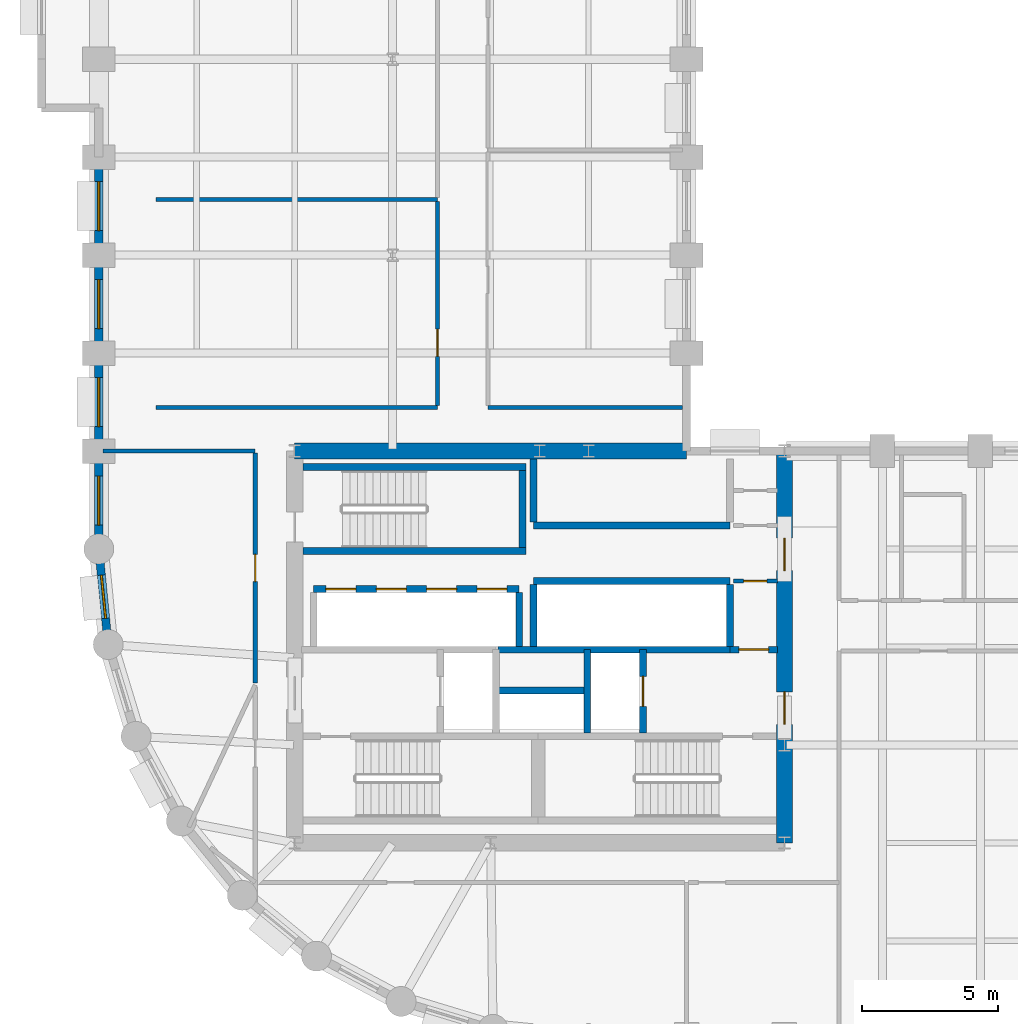
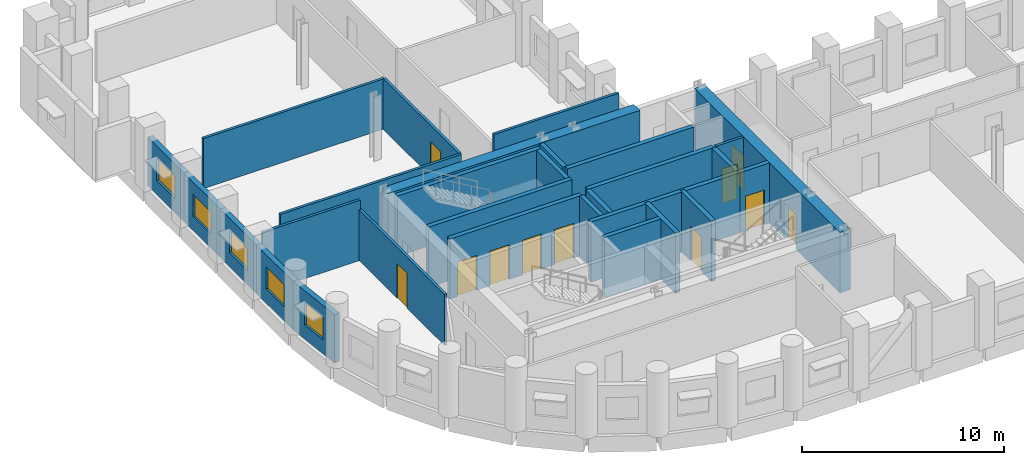
# One storey, part 6 of 11: 29 walls, 11 doors, 5 windows, 16 openings.
"""IFC4 building model written with IfcOpenShell, lengths in metres."""

from ifc_helpers import new_model, si_unit, direction, frame, frame_2d, origin, place, context, subcontext, project, spatial, rectangle, extrude, material, layer, layer_set, type_object, element, fill, save


model = new_model("IFC4")

# Units and contexts
model_context = context("Model", 3, precision=1e-05, world=origin(), true_north=direction((0.0, 1.0)))
body_context = subcontext(model_context, "Body", "Model", "MODEL_VIEW")
ifc_project = project(units=[si_unit("LENGTHUNIT", "METRE"), si_unit("AREAUNIT", "SQUARE_METRE"), si_unit("VOLUMEUNIT", "CUBIC_METRE"), si_unit("PLANEANGLEUNIT", "RADIAN"), si_unit("MASSUNIT", "GRAM", prefix="KILO")], contexts=[model_context])

# Site, building, storey
site_placement = place(None, origin())
site = spatial("IfcSite", under=ifc_project, at=site_placement, CompositionType="ELEMENT")
building_placement = place(site_placement, origin())
building = spatial("IfcBuilding", under=site, at=building_placement, Name="Solnavia Interchange Tower", CompositionType="ELEMENT")
storey_placement = place(building_placement, frame((0.0, 0.0, 55.199951171875)))
storey = spatial("IfcBuildingStorey", under=building, at=storey_placement, Name="L13", CompositionType="ELEMENT", Elevation=55.199951171875)

# Wall, opening, window
ifc_material_1 = material(Name="Concrete C40/50", Category="concrete")
ifc_layer_1 = layer(ifc_material_1, 0.300048828125)
ifc_layer_set_1 = layer_set([ifc_layer_1], Name="Concrete C40/50")
wall_type_1 = type_object("IfcWallType", Name="Wall-ExtSpandrel-300", PredefinedType="STANDARD", material=ifc_layer_set_1)
wall_1_placement = place(storey_placement, frame((7.199951171875, 32.39990234375, 0.0), z_axis=(0.0, 0.0, 1.0), x_axis=(0.0, 1.0, 0.0)))
wall_1 = element("IfcWall", 1, at=wall_1_placement, inside=storey, type_object=wall_type_1, Name="EXW-L13-55 Exterior precast spandrel wall", PredefinedType="STANDARD", context=body_context, shape_type="SweptSolid", body=[
    extrude(rectangle(XDim=3.60009765625, YDim=0.300048828125, at=frame_2d((1.800048828125, 0.0))), origin(), (0.0, 0.0, 1.0), 2.929931640625),
])
opening_1_placement = place(wall_1_placement, frame((0.89990234375, 0.0, 0.85009765625)))
opening_1 = element("IfcOpeningElement", 2, at=opening_1_placement, cuts=wall_1, Name="Opening WIN-02", PredefinedType="OPENING", context=body_context, shape_type="SweptSolid", body=[
    extrude(rectangle(XDim=1.800048828125, YDim=1.35009765625, at=frame_2d((0.89990234375, 0.675048828125))), frame((0.0, 0.16015625, 0.0), z_axis=(0.0, -1.0, 0.0), x_axis=(1.0, 0.0, 0.0)), (0.0, 0.0, 1.0), 0.320068359375),
])
ifc_material_2 = material(Name="Thermal-Break Aluminium & Low-E Glass", Category="aluminium")
window_type_1 = type_object("IfcWindowType", Name="Window-Ribbon-1800x1350", PartitioningType="SINGLE_PANEL", PredefinedType="WINDOW", material=ifc_material_2)
window_1_placement = place(opening_1_placement, origin())
window_1 = element("IfcWindow", 3, at=window_1_placement, inside=storey, type_object=window_type_1, Name="WIN-L13-55 Facade ribbon window", OverallHeight=1.35009765625, OverallWidth=1.800048828125, PartitioningType="SINGLE_PANEL", PredefinedType="WINDOW", context=body_context, shape_type="SweptSolid", body=[
    extrude(rectangle(XDim=1.800048828125, YDim=1.35009765625, at=frame_2d((0.89990234375, 0.675048828125))), frame((0.0, 0.030029296875, 0.0), z_axis=(0.0, -1.0, 0.0), x_axis=(1.0, 0.0, 0.0)), (0.0, 0.0, 1.0), 0.06005859375),
])
fill(opening_1, window_1)

wall_2_placement = place(storey_placement, frame((7.199951171875, 28.800048828125, 0.0), z_axis=(0.0, 0.0, 1.0), x_axis=(0.0, 1.0, 0.0)))
wall_2 = element("IfcWall", 4, at=wall_2_placement, inside=storey, type_object=wall_type_1, Name="EXW-L13-56 Exterior precast spandrel wall", PredefinedType="STANDARD", context=body_context, shape_type="SweptSolid", body=[
    extrude(rectangle(XDim=3.599853515625, YDim=0.300048828125, at=frame_2d((1.7998046875, 0.0))), origin(), (0.0, 0.0, 1.0), 2.929931640625),
])
opening_2_placement = place(wall_2_placement, frame((0.89990234375, 0.0, 0.85009765625)))
opening_2 = element("IfcOpeningElement", 5, at=opening_2_placement, cuts=wall_2, Name="Opening WIN-02", PredefinedType="OPENING", context=body_context, shape_type="SweptSolid", body=[
    extrude(rectangle(XDim=1.800048828125, YDim=1.35009765625, at=frame_2d((0.89990234375, 0.675048828125))), frame((0.0, 0.16015625, 0.0), z_axis=(0.0, -1.0, 0.0), x_axis=(1.0, 0.0, 0.0)), (0.0, 0.0, 1.0), 0.320068359375),
])
window_2_placement = place(opening_2_placement, origin())
window_2 = element("IfcWindow", 6, at=window_2_placement, inside=storey, type_object=window_type_1, Name="WIN-L13-56 Facade ribbon window", OverallHeight=1.35009765625, OverallWidth=1.800048828125, PartitioningType="SINGLE_PANEL", PredefinedType="WINDOW", context=body_context, shape_type="SweptSolid", body=[
    extrude(rectangle(XDim=1.800048828125, YDim=1.35009765625, at=frame_2d((0.89990234375, 0.675048828125))), frame((0.0, 0.030029296875, 0.0), z_axis=(0.0, -1.0, 0.0), x_axis=(1.0, 0.0, 0.0)), (0.0, 0.0, 1.0), 0.06005859375),
])
fill(opening_2, window_2)

wall_3_placement = place(storey_placement, frame((7.199951171875, 25.199951171875, 0.0), z_axis=(0.0, 0.0, 1.0), x_axis=(0.0, 1.0, 0.0)))
wall_3 = element("IfcWall", 7, at=wall_3_placement, inside=storey, type_object=wall_type_1, Name="EXW-L13-57 Exterior precast spandrel wall", PredefinedType="STANDARD", context=body_context, shape_type="SweptSolid", body=[
    extrude(rectangle(XDim=3.60009765625, YDim=0.300048828125, at=frame_2d((1.800048828125, 0.0))), origin(), (0.0, 0.0, 1.0), 2.929931640625),
])
opening_3_placement = place(wall_3_placement, frame((0.89990234375, 0.0, 0.85009765625)))
opening_3 = element("IfcOpeningElement", 8, at=opening_3_placement, cuts=wall_3, Name="Opening WIN-02", PredefinedType="OPENING", context=body_context, shape_type="SweptSolid", body=[
    extrude(rectangle(XDim=1.800048828125, YDim=1.35009765625, at=frame_2d((0.89990234375, 0.675048828125))), frame((0.0, 0.16015625, 0.0), z_axis=(0.0, -1.0, 0.0), x_axis=(1.0, 0.0, 0.0)), (0.0, 0.0, 1.0), 0.320068359375),
])
window_3_placement = place(opening_3_placement, origin())
window_3 = element("IfcWindow", 9, at=window_3_placement, inside=storey, type_object=window_type_1, Name="WIN-L13-57 Facade ribbon window", OverallHeight=1.35009765625, OverallWidth=1.800048828125, PartitioningType="SINGLE_PANEL", PredefinedType="WINDOW", context=body_context, shape_type="SweptSolid", body=[
    extrude(rectangle(XDim=1.800048828125, YDim=1.35009765625, at=frame_2d((0.89990234375, 0.675048828125))), frame((0.0, 0.030029296875, 0.0), z_axis=(0.0, -1.0, 0.0), x_axis=(1.0, 0.0, 0.0)), (0.0, 0.0, 1.0), 0.06005859375),
])
fill(opening_3, window_3)

wall_4_placement = place(storey_placement, frame((7.199951171875, 21.60009765625, 0.0), z_axis=(0.0, 0.0, 1.0), x_axis=(0.0, 1.0, 0.0)))
wall_4 = element("IfcWall", 10, at=wall_4_placement, inside=storey, type_object=wall_type_1, Name="EXW-L13-58 Exterior precast spandrel wall", PredefinedType="STANDARD", context=body_context, shape_type="SweptSolid", body=[
    extrude(rectangle(XDim=3.599853515625, YDim=0.300048828125, at=frame_2d((1.7998046875, 0.0))), origin(), (0.0, 0.0, 1.0), 2.929931640625),
])
opening_4_placement = place(wall_4_placement, frame((0.875, 0.0, 0.85009765625)))
opening_4 = element("IfcOpeningElement", 11, at=opening_4_placement, cuts=wall_4, Name="Opening WIN-02", PredefinedType="OPENING", context=body_context, shape_type="SweptSolid", body=[
    extrude(rectangle(XDim=1.800048828125, YDim=1.35009765625, at=frame_2d((0.89990234375, 0.675048828125))), frame((0.0, 0.16015625, 0.0), z_axis=(0.0, -1.0, 0.0), x_axis=(1.0, 0.0, 0.0)), (0.0, 0.0, 1.0), 0.320068359375),
])
window_4_placement = place(opening_4_placement, origin())
window_4 = element("IfcWindow", 12, at=window_4_placement, inside=storey, type_object=window_type_1, Name="WIN-L13-58 Facade ribbon window", OverallHeight=1.35009765625, OverallWidth=1.800048828125, PartitioningType="SINGLE_PANEL", PredefinedType="WINDOW", context=body_context, shape_type="SweptSolid", body=[
    extrude(rectangle(XDim=1.800048828125, YDim=1.35009765625, at=frame_2d((0.89990234375, 0.675048828125))), frame((0.0, 0.030029296875, 0.0), z_axis=(0.0, -1.0, 0.0), x_axis=(1.0, 0.0, 0.0)), (0.0, 0.0, 1.0), 0.06005859375),
])
fill(opening_4, window_4)

wall_5_placement = place(storey_placement, frame((7.5458984375, 18.087890625, 0.0), z_axis=(0.0, 0.0, 1.0), x_axis=(-0.09802417461, 0.995184033831, 0.0)))
wall_5 = element("IfcWall", 13, at=wall_5_placement, inside=storey, type_object=wall_type_1, Name="EXW-L13-59 Exterior precast spandrel wall", PredefinedType="STANDARD", context=body_context, shape_type="SweptSolid", body=[
    extrude(rectangle(XDim=3.529296875, YDim=0.300048828125, at=frame_2d((1.7646484375, 0.0))), origin(), (0.0, 0.0, 1.0), 2.929931640625),
])
opening_5_placement = place(wall_5_placement, frame((0.965087890625, 0.0, 0.85009765625)))
opening_5 = element("IfcOpeningElement", 14, at=opening_5_placement, cuts=wall_5, Name="Opening WIN-04", PredefinedType="OPENING", context=body_context, shape_type="SweptSolid", body=[
    extrude(rectangle(XDim=1.60009765625, YDim=1.35009765625, at=frame_2d((0.800048828125, 0.675048828125))), frame((0.0, 0.16015625, 0.0), z_axis=(0.0, -1.0, 0.0), x_axis=(1.0, 0.0, 0.0)), (0.0, 0.0, 1.0), 0.320068359375),
])
window_type_2 = type_object("IfcWindowType", Name="Window-Drum-1600x1350", PartitioningType="SINGLE_PANEL", PredefinedType="WINDOW", material=ifc_material_2)
window_5_placement = place(opening_5_placement, origin())
window_5 = element("IfcWindow", 15, at=window_5_placement, inside=storey, type_object=window_type_2, Name="WIN-L13-59 Facade ribbon window", OverallHeight=1.35009765625, OverallWidth=1.60009765625, PartitioningType="SINGLE_PANEL", PredefinedType="WINDOW", context=body_context, shape_type="SweptSolid", body=[
    extrude(rectangle(XDim=1.60009765625, YDim=1.35009765625, at=frame_2d((0.800048828125, 0.675048828125))), frame((0.0, 0.030029296875, 0.0), z_axis=(0.0, -1.0, 0.0), x_axis=(1.0, 0.0, 0.0)), (0.0, 0.0, 1.0), 0.06005859375),
])
fill(opening_5, window_5)

# Wall, opening, door
ifc_material_3 = material(Name="Gypsum Plasterboard & Steel Stud", Category="steel")
ifc_layer_2 = layer(ifc_material_3, 0.14990234375)
ifc_layer_set_2 = layer_set([ifc_layer_2], Name="Gypsum Plasterboard & Steel Stud")
wall_type_2 = type_object("IfcWallType", Name="Wall-Partition-150", PredefinedType="PARTITIONING", material=ifc_layer_set_2)
wall_6_placement = place(storey_placement, frame((30.52001953125, 20.419921875, 0.0), z_axis=(0.0, 0.0, 1.0), x_axis=(1.0, 0.0, 0.0)))
wall_6 = element("IfcWall", 16, at=wall_6_placement, inside=storey, type_object=wall_type_2, Name="CSW-L13-SE-N Core shaft wall", PredefinedType="PARTITIONING", context=body_context, shape_type="SweptSolid", body=[
    extrude(rectangle(XDim=1.6298828125, YDim=0.14990234375, at=frame_2d((0.81494140625, 0.0))), origin(), (0.0, 0.0, 1.0), 3.635009765625),
])
opening_6_placement = place(wall_6_placement, frame((0.3798828125, 0.0, 0.0)))
opening_6 = element("IfcOpeningElement", 17, at=opening_6_placement, cuts=wall_6, Name="Opening DR-10", PredefinedType="OPENING", context=body_context, shape_type="SweptSolid", body=[
    extrude(rectangle(XDim=0.85009765625, YDim=2.10009765625, at=frame_2d((0.425048828125, 1.050048828125))), frame((0.0, 0.0849609375, 0.0), z_axis=(0.0, -1.0, 0.0), x_axis=(1.0, 0.0, 0.0)), (0.0, 0.0, 1.0), 0.169921875),
])
ifc_material_4 = material(Name="Moisture-Resistant Timber Door", Category="wood")
door_type_1 = type_object("IfcDoorType", Name="Door-Bathroom-850x2100", OperationType="SINGLE_SWING_RIGHT", PredefinedType="DOOR", material=ifc_material_4)
door_1_placement = place(opening_6_placement, origin())
door_1 = element("IfcDoor", 18, at=door_1_placement, inside=storey, type_object=door_type_1, Name="DR-L13-CSE1 Core fire door", OperationType="SINGLE_SWING_LEFT", OverallHeight=2.10009765625, OverallWidth=0.85009765625, PredefinedType="DOOR", context=body_context, shape_type="SweptSolid", body=[
    extrude(rectangle(XDim=0.85009765625, YDim=2.10009765625, at=frame_2d((0.425048828125, 1.050048828125))), frame((0.0, 0.02490234375, 0.0), z_axis=(0.0, -1.0, 0.0), x_axis=(1.0, 0.0, 0.0)), (0.0, 0.0, 1.0), 0.050048828125),
])
fill(opening_6, door_1)

# Wall
wall_7_placement = place(storey_placement, frame((7.35400390625, 25.199951171875, 0.0), z_axis=(0.0, 0.0, 1.0), x_axis=(1.0, 0.0, 0.0)))
element("IfcWall", 19, at=wall_7_placement, inside=storey, type_object=wall_type_2, Name="PTW-L13-07 Interior partition wall", PredefinedType="PARTITIONING", context=body_context, shape_type="SweptSolid", body=[
    extrude(rectangle(XDim=5.595947265625, YDim=0.14990234375, at=frame_2d((2.7978515625, 0.0))), origin(), (0.0, 0.0, 1.0), 3.635009765625),
])

# Wall, opening, door
wall_8_placement = place(storey_placement, frame((12.949951171875, 16.678955078125, 0.0), z_axis=(0.0, 0.0, 1.0), x_axis=(0.0, 1.0, 0.0)))
wall_8 = element("IfcWall", 20, at=wall_8_placement, inside=storey, type_object=wall_type_2, Name="PTW-L13-11 Interior partition wall", PredefinedType="PARTITIONING", context=body_context, shape_type="SweptSolid", body=[
    extrude(rectangle(XDim=8.442138671875, YDim=0.14990234375, at=frame_2d((4.22119140625, 0.0))), origin(), (0.0, 0.0, 1.0), 3.080078125),
])
opening_7_placement = place(wall_8_placement, frame((3.720947265625, 0.0, 0.0)))
opening_7 = element("IfcOpeningElement", 21, at=opening_7_placement, cuts=wall_8, Name="Opening DR-07", PredefinedType="OPENING", context=body_context, shape_type="SweptSolid", body=[
    extrude(rectangle(XDim=1.0, YDim=2.10009765625, at=frame_2d((0.5, 1.050048828125))), frame((0.0, 0.0849609375, 0.0), z_axis=(0.0, -1.0, 0.0), x_axis=(1.0, 0.0, 0.0)), (0.0, 0.0, 1.0), 0.169921875),
])
ifc_material_5 = material(Name="Timber & Acoustic Glazed Office Door", Category="wood")
door_type_2 = type_object("IfcDoorType", Name="Door-Office-1000x2100", OperationType="SINGLE_SWING_RIGHT", PredefinedType="DOOR", material=ifc_material_5)
door_2_placement = place(opening_7_placement, origin())
door_2 = element("IfcDoor", 22, at=door_2_placement, inside=storey, type_object=door_type_2, Name="DR-L13-03 Interior room door", OperationType="SINGLE_SWING_LEFT", OverallHeight=2.10009765625, OverallWidth=1.0, PredefinedType="DOOR", context=body_context, shape_type="SweptSolid", body=[
    extrude(rectangle(XDim=1.0, YDim=2.10009765625, at=frame_2d((0.5, 1.050048828125))), frame((0.0, 0.02490234375, 0.0), z_axis=(0.0, -1.0, 0.0), x_axis=(1.0, 0.0, 0.0)), (0.0, 0.0, 1.0), 0.050048828125),
])
fill(opening_7, door_2)

# Walls
wall_9_placement = place(storey_placement, frame((9.300048828125, 26.800048828125, 0.0), z_axis=(0.0, 0.0, 1.0), x_axis=(1.0, 0.0, 0.0)))
element("IfcWall", 23, at=wall_9_placement, inside=storey, type_object=wall_type_2, Name="PTW-L13-27 Interior partition wall", PredefinedType="PARTITIONING", context=body_context, shape_type="SweptSolid", body=[
    extrude(rectangle(XDim=10.349853515625, YDim=0.14990234375, at=frame_2d((5.1748046875, 0.0))), origin(), (0.0, 0.0, 1.0), 3.080078125),
])
wall_10_placement = place(storey_placement, frame((9.300048828125, 34.43994140625, 0.0), z_axis=(0.0, 0.0, 1.0), x_axis=(1.0, 0.0, 0.0)))
element("IfcWall", 24, at=wall_10_placement, inside=storey, type_object=wall_type_2, Name="PTW-L13-28 Interior partition wall", PredefinedType="PARTITIONING", context=body_context, shape_type="SweptSolid", body=[
    extrude(rectangle(XDim=10.349853515625, YDim=0.14990234375, at=frame_2d((5.1748046875, 0.0))), origin(), (0.0, 0.0, 1.0), 3.030029296875),
])

# Wall, opening, door
wall_11_placement = place(storey_placement, frame((19.64990234375, 26.87890625, 0.0), z_axis=(0.0, 0.0, 1.0), x_axis=(0.0, 1.0, 0.0)))
wall_11 = element("IfcWall", 25, at=wall_11_placement, inside=storey, type_object=wall_type_2, Name="PTW-L13-29 Interior partition wall", PredefinedType="PARTITIONING", context=body_context, shape_type="SweptSolid", body=[
    extrude(rectangle(XDim=7.482177734375, YDim=0.14990234375, at=frame_2d((3.7412109375, 0.0))), origin(), (0.0, 0.0, 1.0), 3.080078125),
])
opening_8_placement = place(wall_11_placement, frame((1.801025390625, 0.0, 0.0)))
opening_8 = element("IfcOpeningElement", 26, at=opening_8_placement, cuts=wall_11, Name="Opening DR-07", PredefinedType="OPENING", context=body_context, shape_type="SweptSolid", body=[
    extrude(rectangle(XDim=1.0, YDim=2.10009765625, at=frame_2d((0.5, 1.050048828125))), frame((0.0, 0.0849609375, 0.0), z_axis=(0.0, -1.0, 0.0), x_axis=(1.0, 0.0, 0.0)), (0.0, 0.0, 1.0), 0.169921875),
])
door_3_placement = place(opening_8_placement, origin())
door_3 = element("IfcDoor", 27, at=door_3_placement, inside=storey, type_object=door_type_2, Name="DR-L13-13 Interior room door", OperationType="SINGLE_SWING_RIGHT", OverallHeight=2.10009765625, OverallWidth=1.0, PredefinedType="DOOR", context=body_context, shape_type="SweptSolid", body=[
    extrude(rectangle(XDim=1.0, YDim=2.10009765625, at=frame_2d((0.5, 1.050048828125))), frame((0.0, 0.02490234375, 0.0), z_axis=(0.0, -1.0, 0.0), x_axis=(1.0, 0.0, 0.0)), (0.0, 0.0, 1.0), 0.050048828125),
])
fill(opening_8, door_3)

# Walls
wall_12_placement = place(storey_placement, frame((21.5, 26.800048828125, 0.0), z_axis=(0.0, 0.0, 1.0), x_axis=(1.0, 0.0, 0.0)))
element("IfcWall", 28, at=wall_12_placement, inside=storey, type_object=wall_type_2, Name="PTW-L13-31 Interior partition wall", PredefinedType="PARTITIONING", context=body_context, shape_type="SweptSolid", body=[
    extrude(rectangle(XDim=7.14599609375, YDim=0.14990234375, at=frame_2d((3.572998046875, 0.0))), origin(), (0.0, 0.0, 1.0), 3.635009765625),
])
ifc_layer_3 = layer(ifc_material_1, 0.25)
ifc_layer_set_3 = layer_set([ifc_layer_3], Name="Concrete C40/50")
wall_type_3 = type_object("IfcWallType", Name="Wall-ShaftCore-250", PredefinedType="SHEAR", material=ifc_layer_set_3)
for number, where, z_axis, x_axis, name in (
    (29, (14.699951171875, 21.52490234375, 0.0), (0.0, 0.0, 1.0), (1.0, 0.0, 0.0), "SHW-L13-ST3S Core shear wall"),
    (30, (14.699951171875, 24.614990234375, 0.0), (0.0, 0.0, 1.0), (1.0, 0.0, 0.0), "SHW-L13-ST3N Core shear wall"),
):
    element("IfcWall", number, at=place(storey_placement, frame(where, z_axis=z_axis, x_axis=x_axis)), inside=storey, type_object=wall_type_3, Name=name, PredefinedType="SHEAR", context=body_context, shape_type="SweptSolid", body=[
        extrude(rectangle(XDim=8.199951171875, YDim=0.25, at=frame_2d((4.10009765625, 0.0))), origin(), (0.0, 0.0, 1.0), 3.650146484375),
    ])
wall_13_placement = place(storey_placement, frame((22.77490234375, 21.64990234375, 0.0), z_axis=(0.0, 0.0, 1.0), x_axis=(0.0, 1.0, 0.0)))
element("IfcWall", 31, at=wall_13_placement, inside=storey, type_object=wall_type_3, Name="SHW-L13-ST3E Core shear wall", PredefinedType="SHEAR", context=body_context, shape_type="SweptSolid", body=[
    extrude(rectangle(XDim=2.840087890625, YDim=0.25, at=frame_2d((1.419921875, 0.0))), origin(), (0.0, 0.0, 1.0), 3.650146484375),
])
ifc_layer_4 = layer(ifc_material_1, 0.25)
ifc_layer_set_4 = layer_set([ifc_layer_4], Name="Concrete C40/50")
wall_type_4 = type_object("IfcWallType", Name="Wall-ShaftPart-250", PredefinedType="PARTITIONING", material=ifc_layer_set_4)
wall_14_placement = place(storey_placement, frame((21.8798828125, 17.89990234375, 0.0), z_axis=(0.0, 0.0, 1.0), x_axis=(1.0, 0.0, 0.0)))
element("IfcWall", 32, at=wall_14_placement, inside=storey, type_object=wall_type_4, Name="SHW-L13-FFLE-N1 Core shaft wall", PredefinedType="PARTITIONING", context=body_context, shape_type="SweptSolid", body=[
    extrude(rectangle(XDim=8.52001953125, YDim=0.25, at=frame_2d((4.260009765625, 0.0))), origin(), (0.0, 0.0, 1.0), 3.635009765625),
])

# Wall, opening, door
wall_15_placement = place(storey_placement, frame((30.39990234375, 17.89990234375, 0.0), z_axis=(0.0, 0.0, 1.0), x_axis=(1.0, 0.0, 0.0)))
wall_15 = element("IfcWall", 33, at=wall_15_placement, inside=storey, type_object=wall_type_4, Name="SHW-L13-FFLE-N2 Core shaft wall", PredefinedType="PARTITIONING", context=body_context, shape_type="SweptSolid", body=[
    extrude(rectangle(XDim=1.75, YDim=0.25, at=frame_2d((0.875, 0.0))), origin(), (0.0, 0.0, 1.0), 3.635009765625),
])
opening_9_placement = place(wall_15_placement, frame((0.320068359375, 0.0, 0.0)))
opening_9 = element("IfcOpeningElement", 34, at=opening_9_placement, cuts=wall_15, Name="Opening DR-01", PredefinedType="OPENING", context=body_context, shape_type="SweptSolid", body=[
    extrude(rectangle(XDim=1.10009765625, YDim=2.10009765625, at=frame_2d((0.550048828125, 1.050048828125))), frame((0.0, 0.135009765625, 0.0), z_axis=(0.0, -1.0, 0.0), x_axis=(1.0, 0.0, 0.0)), (0.0, 0.0, 1.0), 0.27001953125),
])
ifc_material_6 = material(Name="Steel Fire-Rated Leaf & Frame", Category="steel")
door_type_3 = type_object("IfcDoorType", Name="Door-StairFire-1100x2100", OperationType="SINGLE_SWING_LEFT", PredefinedType="DOOR", material=ifc_material_6)
door_4_placement = place(opening_9_placement, origin())
door_4 = element("IfcDoor", 35, at=door_4_placement, inside=storey, type_object=door_type_3, Name="DR-L13-LLC Core fire door", OperationType="SINGLE_SWING_LEFT", OverallHeight=2.10009765625, OverallWidth=1.10009765625, PredefinedType="DOOR", context=body_context, shape_type="SweptSolid", body=[
    extrude(rectangle(XDim=1.10009765625, YDim=2.10009765625, at=frame_2d((0.550048828125, 1.050048828125))), frame((0.0, 0.02490234375, 0.0), z_axis=(0.0, -1.0, 0.0), x_axis=(1.0, 0.0, 0.0)), (0.0, 0.0, 1.0), 0.050048828125),
])
fill(opening_9, door_4)

# Wall
wall_16_placement = place(storey_placement, frame((25.14990234375, 14.840087890625, 0.0), z_axis=(0.0, 0.0, 1.0), x_axis=(0.0, 1.0, 0.0)))
element("IfcWall", 36, at=wall_16_placement, inside=storey, type_object=wall_type_4, Name="SHW-L13-FFL2-W Core shaft wall", PredefinedType="PARTITIONING", context=body_context, shape_type="SweptSolid", body=[
    extrude(rectangle(XDim=3.059814453125, YDim=0.25, at=frame_2d((1.52978515625, 0.0))), origin(), (0.0, 0.0, 1.0), 3.635009765625),
])

# Wall, opening, door
wall_17_placement = place(storey_placement, frame((27.199951171875, 14.840087890625, 0.0), z_axis=(0.0, 0.0, 1.0), x_axis=(0.0, 1.0, 0.0)))
wall_17 = element("IfcWall", 37, at=wall_17_placement, inside=storey, type_object=wall_type_4, Name="SHW-L13-FFL2-E Core shaft wall", PredefinedType="PARTITIONING", context=body_context, shape_type="SweptSolid", body=[
    extrude(rectangle(XDim=3.059814453125, YDim=0.25, at=frame_2d((1.52978515625, 0.0))), origin(), (0.0, 0.0, 1.0), 3.635009765625),
])
opening_10_placement = place(wall_17_placement, frame((0.97998046875, 0.0, 0.0)))
opening_10 = element("IfcOpeningElement", 38, at=opening_10_placement, cuts=wall_17, Name="Opening LD-01", PredefinedType="OPENING", context=body_context, shape_type="SweptSolid", body=[
    extrude(rectangle(XDim=1.10009765625, YDim=2.10009765625, at=frame_2d((0.550048828125, 1.050048828125))), frame((0.0, 0.135009765625, 0.0), z_axis=(0.0, -1.0, 0.0), x_axis=(1.0, 0.0, 0.0)), (0.0, 0.0, 1.0), 0.27001953125),
])
ifc_material_7 = material(Name="Brushed Stainless Steel Sliding Door", Category="steel")
door_type_4 = type_object("IfcDoorType", Name="Door-LiftLanding-1100x2100", OperationType="SLIDING_TO_LEFT", PredefinedType="DOOR", material=ifc_material_7)
door_5_placement = place(opening_10_placement, origin())
door_5 = element("IfcDoor", 39, at=door_5_placement, inside=storey, type_object=door_type_4, Name="LD-L13-FFL2 Lift landing sliding door", OperationType="SLIDING_TO_LEFT", OverallHeight=2.10009765625, OverallWidth=1.10009765625, PredefinedType="DOOR", context=body_context, shape_type="SweptSolid", body=[
    extrude(rectangle(XDim=1.10009765625, YDim=2.10009765625, at=frame_2d((0.550048828125, 1.050048828125))), frame((0.0, 0.02490234375, 0.0), z_axis=(0.0, -1.0, 0.0), x_axis=(1.0, 0.0, 0.0)), (0.0, 0.0, 1.0), 0.050048828125),
])
fill(opening_10, door_5)

# Wall
wall_18_placement = place(storey_placement, frame((21.800048828125, 16.39990234375, 0.0), z_axis=(0.0, 0.0, 1.0), x_axis=(1.0, 0.0, 0.0)))
element("IfcWall", 40, at=wall_18_placement, inside=storey, type_object=wall_type_4, Name="SHW-L13-MEP-N Core shaft wall", PredefinedType="PARTITIONING", context=body_context, shape_type="SweptSolid", body=[
    extrude(rectangle(XDim=3.349853515625, YDim=0.25, at=frame_2d((1.6748046875, 0.0))), origin(), (0.0, 0.0, 1.0), 3.635009765625),
])

# Wall, openings, doors
wall_19_placement = place(storey_placement, frame((15.10009765625, 20.125, 0.0), z_axis=(0.0, 0.0, 1.0), x_axis=(1.0, 0.0, 0.0)))
wall_19 = element("IfcWall", 41, at=wall_19_placement, inside=storey, type_object=wall_type_4, Name="SHW-L13-B1N Core shaft wall", PredefinedType="PARTITIONING", context=body_context, shape_type="SweptSolid", body=[
    extrude(rectangle(XDim=7.5498046875, YDim=0.25, at=frame_2d((3.77490234375, 0.0))), origin(), (0.0, 0.0, 1.0), 3.635009765625),
])
opening_11_placement = place(wall_19_placement, frame((0.449951171875, 0.0, 0.0)))
opening_11 = element("IfcOpeningElement", 42, at=opening_11_placement, cuts=wall_19, Name="Opening LD-01", PredefinedType="OPENING", context=body_context, shape_type="SweptSolid", body=[
    extrude(rectangle(XDim=1.10009765625, YDim=2.10009765625, at=frame_2d((0.550048828125, 1.050048828125))), frame((0.0, 0.135009765625, 0.0), z_axis=(0.0, -1.0, 0.0), x_axis=(1.0, 0.0, 0.0)), (0.0, 0.0, 1.0), 0.27001953125),
])
opening_12_placement = place(wall_19_placement, frame((2.300048828125, 0.0, 0.0)))
opening_12 = element("IfcOpeningElement", 43, at=opening_12_placement, cuts=wall_19, Name="Opening LD-01", PredefinedType="OPENING", context=body_context, shape_type="SweptSolid", body=[
    extrude(rectangle(XDim=1.10009765625, YDim=2.10009765625, at=frame_2d((0.550048828125, 1.050048828125))), frame((0.0, 0.135009765625, 0.0), z_axis=(0.0, -1.0, 0.0), x_axis=(1.0, 0.0, 0.0)), (0.0, 0.0, 1.0), 0.27001953125),
])
opening_13_placement = place(wall_19_placement, frame((4.14990234375, 0.0, 0.0)))
opening_13 = element("IfcOpeningElement", 44, at=opening_13_placement, cuts=wall_19, Name="Opening LD-01", PredefinedType="OPENING", context=body_context, shape_type="SweptSolid", body=[
    extrude(rectangle(XDim=1.10009765625, YDim=2.10009765625, at=frame_2d((0.550048828125, 1.050048828125))), frame((0.0, 0.135009765625, 0.0), z_axis=(0.0, -1.0, 0.0), x_axis=(1.0, 0.0, 0.0)), (0.0, 0.0, 1.0), 0.27001953125),
])
opening_14_placement = place(wall_19_placement, frame((6.0, 0.0, 0.0)))
opening_14 = element("IfcOpeningElement", 45, at=opening_14_placement, cuts=wall_19, Name="Opening LD-01", PredefinedType="OPENING", context=body_context, shape_type="SweptSolid", body=[
    extrude(rectangle(XDim=1.10009765625, YDim=2.10009765625, at=frame_2d((0.550048828125, 1.050048828125))), frame((0.0, 0.135009765625, 0.0), z_axis=(0.0, -1.0, 0.0), x_axis=(1.0, 0.0, 0.0)), (0.0, 0.0, 1.0), 0.27001953125),
])
door_6_placement = place(opening_11_placement, origin())
door_6 = element("IfcDoor", 46, at=door_6_placement, inside=storey, type_object=door_type_4, Name="LD-L13-B1-1 Lift landing sliding door", OperationType="SLIDING_TO_LEFT", OverallHeight=2.10009765625, OverallWidth=1.10009765625, PredefinedType="DOOR", context=body_context, shape_type="SweptSolid", body=[
    extrude(rectangle(XDim=1.10009765625, YDim=2.10009765625, at=frame_2d((0.550048828125, 1.050048828125))), frame((0.0, 0.02490234375, 0.0), z_axis=(0.0, -1.0, 0.0), x_axis=(1.0, 0.0, 0.0)), (0.0, 0.0, 1.0), 0.050048828125),
])
fill(opening_11, door_6)
door_7_placement = place(opening_12_placement, origin())
door_7 = element("IfcDoor", 47, at=door_7_placement, inside=storey, type_object=door_type_4, Name="LD-L13-B1-2 Lift landing sliding door", OperationType="SLIDING_TO_LEFT", OverallHeight=2.10009765625, OverallWidth=1.10009765625, PredefinedType="DOOR", context=body_context, shape_type="SweptSolid", body=[
    extrude(rectangle(XDim=1.10009765625, YDim=2.10009765625, at=frame_2d((0.550048828125, 1.050048828125))), frame((0.0, 0.02490234375, 0.0), z_axis=(0.0, -1.0, 0.0), x_axis=(1.0, 0.0, 0.0)), (0.0, 0.0, 1.0), 0.050048828125),
])
fill(opening_12, door_7)
door_8_placement = place(opening_13_placement, origin())
door_8 = element("IfcDoor", 48, at=door_8_placement, inside=storey, type_object=door_type_4, Name="LD-L13-B1-3 Lift landing sliding door", OperationType="SLIDING_TO_LEFT", OverallHeight=2.10009765625, OverallWidth=1.10009765625, PredefinedType="DOOR", context=body_context, shape_type="SweptSolid", body=[
    extrude(rectangle(XDim=1.10009765625, YDim=2.10009765625, at=frame_2d((0.550048828125, 1.050048828125))), frame((0.0, 0.02490234375, 0.0), z_axis=(0.0, -1.0, 0.0), x_axis=(1.0, 0.0, 0.0)), (0.0, 0.0, 1.0), 0.050048828125),
])
fill(opening_13, door_8)
door_9_placement = place(opening_14_placement, origin())
door_9 = element("IfcDoor", 49, at=door_9_placement, inside=storey, type_object=door_type_4, Name="LD-L13-B1-4 Lift landing sliding door", OperationType="SLIDING_TO_LEFT", OverallHeight=2.10009765625, OverallWidth=1.10009765625, PredefinedType="DOOR", context=body_context, shape_type="SweptSolid", body=[
    extrude(rectangle(XDim=1.10009765625, YDim=2.10009765625, at=frame_2d((0.550048828125, 1.050048828125))), frame((0.0, 0.02490234375, 0.0), z_axis=(0.0, -1.0, 0.0), x_axis=(1.0, 0.0, 0.0)), (0.0, 0.0, 1.0), 0.050048828125),
])
fill(opening_14, door_9)

# Walls
wall_20_placement = place(storey_placement, frame((22.64990234375, 18.02490234375, 0.0), z_axis=(0.0, 0.0, 1.0), x_axis=(0.0, 1.0, 0.0)))
element("IfcWall", 50, at=wall_20_placement, inside=storey, type_object=wall_type_4, Name="SHW-L13-B1E Core shaft wall", PredefinedType="PARTITIONING", context=body_context, shape_type="SweptSolid", body=[
    extrude(rectangle(XDim=1.97509765625, YDim=0.25, at=frame_2d((0.987548828125, 0.0))), origin(), (0.0, 0.0, 1.0), 3.635009765625),
])
wall_21_placement = place(storey_placement, frame((23.179931640625, 20.419921875, 0.0), z_axis=(0.0, 0.0, 1.0), x_axis=(1.0, 0.0, 0.0)))
element("IfcWall", 51, at=wall_21_placement, inside=storey, type_object=wall_type_4, Name="SHW-L13-B2N Core shaft wall", PredefinedType="PARTITIONING", context=body_context, shape_type="SweptSolid", body=[
    extrude(rectangle(XDim=7.219970703125, YDim=0.25, at=frame_2d((3.60986328125, 0.0))), origin(), (0.0, 0.0, 1.0), 3.635009765625),
])
for number, where, z_axis, x_axis, name in (
    (52, (23.179931640625, 18.02490234375, 0.0), (0.0, 0.0, 1.0), (0.0, 1.0, 0.0), "SHW-L13-B2W Core shaft wall"),
    (53, (30.39990234375, 18.02490234375, 0.0), (0.0, 0.0, 1.0), (0.0, 1.0, 0.0), "SHW-L13-B2E Core shaft wall"),
):
    element("IfcWall", number, at=place(storey_placement, frame(where, z_axis=z_axis, x_axis=x_axis)), inside=storey, type_object=wall_type_4, Name=name, PredefinedType="PARTITIONING", context=body_context, shape_type="SweptSolid", body=[
        extrude(rectangle(XDim=2.27001953125, YDim=0.25, at=frame_2d((1.135009765625, 0.0))), origin(), (0.0, 0.0, 1.0), 3.635009765625),
    ])
wall_22_placement = place(storey_placement, frame((23.179931640625, 22.4599609375, 0.0), z_axis=(0.0, 0.0, 1.0), x_axis=(1.0, 0.0, 0.0)))
element("IfcWall", 54, at=wall_22_placement, inside=storey, type_object=wall_type_4, Name="SHW-L13-B3S Core shaft wall", PredefinedType="PARTITIONING", context=body_context, shape_type="SweptSolid", body=[
    extrude(rectangle(XDim=7.219970703125, YDim=0.25, at=frame_2d((3.60986328125, 0.0))), origin(), (0.0, 0.0, 1.0), 3.635009765625),
])
wall_23_placement = place(storey_placement, frame((23.179931640625, 22.5849609375, 0.0), z_axis=(0.0, 0.0, 1.0), x_axis=(0.0, 1.0, 0.0)))
element("IfcWall", 55, at=wall_23_placement, inside=storey, type_object=wall_type_4, Name="SHW-L13-B3W Core shaft wall", PredefinedType="PARTITIONING", context=body_context, shape_type="SweptSolid", body=[
    extrude(rectangle(XDim=2.31494140625, YDim=0.25, at=frame_2d((1.157470703125, 0.0))), origin(), (0.0, 0.0, 1.0), 3.635009765625),
])
ifc_material_8 = material(Name="Concrete C60/75", Category="concrete")
ifc_layer_5 = layer(ifc_material_8, 0.60009765625)
ifc_layer_set_5 = layer_set([ifc_layer_5], Name="Concrete C60/75")
wall_type_5 = type_object("IfcWallType", Name="Wall-ShearCore-600", PredefinedType="SHEAR", material=ifc_layer_set_5)
wall_24_placement = place(storey_placement, frame((14.39990234375, 25.199951171875, 0.0), z_axis=(0.0, 0.0, 1.0), x_axis=(1.0, 0.0, 0.0)))
element("IfcWall", 56, at=wall_24_placement, inside=storey, type_object=wall_type_5, Name="CRW-L13-N Core shear wall", PredefinedType="SHEAR", context=body_context, shape_type="SweptSolid", body=[
    extrude(rectangle(XDim=14.400146484375, YDim=0.60009765625, at=frame_2d((7.2001953125, 0.0))), origin(), (0.0, 0.0, 1.0), 3.650146484375),
])

# Wall, openings, doors
wall_25_placement = place(storey_placement, frame((32.39990234375, 10.800048828125, 0.0), z_axis=(0.0, 0.0, 1.0), x_axis=(0.0, 1.0, 0.0)))
wall_25 = element("IfcWall", 57, at=wall_25_placement, inside=storey, type_object=wall_type_5, Name="CRW-L13-E Core shear wall", PredefinedType="SHEAR", context=body_context, shape_type="SweptSolid", body=[
    extrude(rectangle(XDim=14.39990234375, YDim=0.60009765625, at=frame_2d((7.199951171875, 0.0))), origin(), (0.0, 0.0, 1.0), 3.650146484375),
])
opening_15_placement = place(wall_25_placement, frame((4.35009765625, 0.0, 0.0)))
opening_15 = element("IfcOpeningElement", 58, at=opening_15_placement, cuts=wall_25, Name="Opening DR-02", PredefinedType="OPENING", context=body_context, shape_type="SweptSolid", body=[
    extrude(rectangle(XDim=1.199951171875, YDim=2.10009765625, at=frame_2d((0.60009765625, 1.050048828125))), frame((0.0, 0.31005859375, 0.0), z_axis=(0.0, -1.0, 0.0), x_axis=(1.0, 0.0, 0.0)), (0.0, 0.0, 1.0), 0.6201171875),
])
opening_16_placement = place(wall_25_placement, frame((10.0, 0.0, 0.0)))
opening_16 = element("IfcOpeningElement", 59, at=opening_16_placement, cuts=wall_25, Name="Opening DR-02", PredefinedType="OPENING", context=body_context, shape_type="SweptSolid", body=[
    extrude(rectangle(XDim=1.199951171875, YDim=2.10009765625, at=frame_2d((0.60009765625, 1.050048828125))), frame((0.0, 0.31005859375, 0.0), z_axis=(0.0, -1.0, 0.0), x_axis=(1.0, 0.0, 0.0)), (0.0, 0.0, 1.0), 0.6201171875),
])
ifc_material_9 = material(Name="Steel Fire-Rated Vision-Panel Door", Category="steel")
door_type_5 = type_object("IfcDoorType", Name="Door-LobbyFire-1200x2100", OperationType="SINGLE_SWING_RIGHT", PredefinedType="DOOR", material=ifc_material_9)
door_10_placement = place(opening_15_placement, origin())
door_10 = element("IfcDoor", 60, at=door_10_placement, inside=storey, type_object=door_type_5, Name="DR-L13-FFL2E Core fire door", OperationType="SINGLE_SWING_LEFT", OverallHeight=2.10009765625, OverallWidth=1.199951171875, PredefinedType="DOOR", context=body_context, shape_type="SweptSolid", body=[
    extrude(rectangle(XDim=1.199951171875, YDim=2.10009765625, at=frame_2d((0.60009765625, 1.050048828125))), frame((0.0, 0.02490234375, 0.0), z_axis=(0.0, -1.0, 0.0), x_axis=(1.0, 0.0, 0.0)), (0.0, 0.0, 1.0), 0.050048828125),
])
fill(opening_15, door_10)
door_11_placement = place(opening_16_placement, origin())
door_11 = element("IfcDoor", 61, at=door_11_placement, inside=storey, type_object=door_type_5, Name="DR-L13-LLE Core fire door", OperationType="SINGLE_SWING_RIGHT", OverallHeight=2.10009765625, OverallWidth=1.199951171875, PredefinedType="DOOR", context=body_context, shape_type="SweptSolid", body=[
    extrude(rectangle(XDim=1.199951171875, YDim=2.10009765625, at=frame_2d((0.60009765625, 1.050048828125))), frame((0.0, 0.02490234375, 0.0), z_axis=(0.0, -1.0, 0.0), x_axis=(1.0, 0.0, 0.0)), (0.0, 0.0, 1.0), 0.050048828125),
])
fill(opening_16, door_11)

save(model, "model.ifc")
